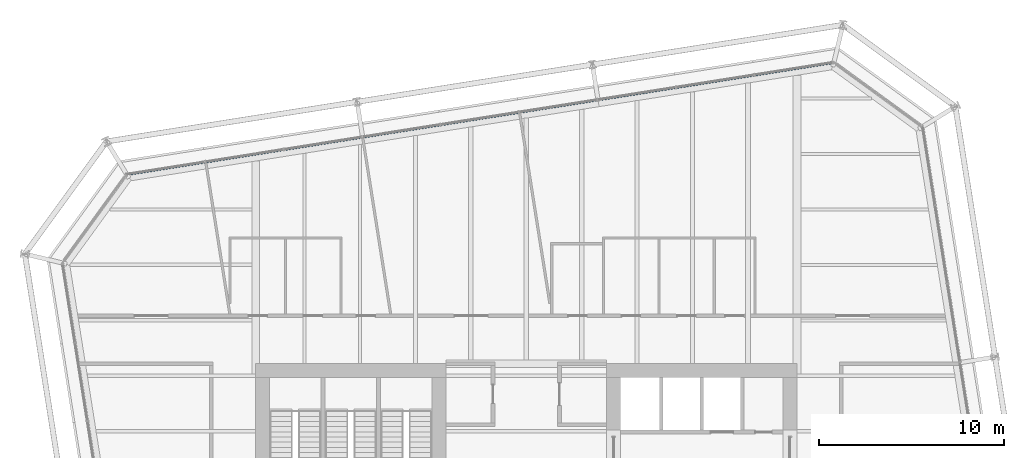
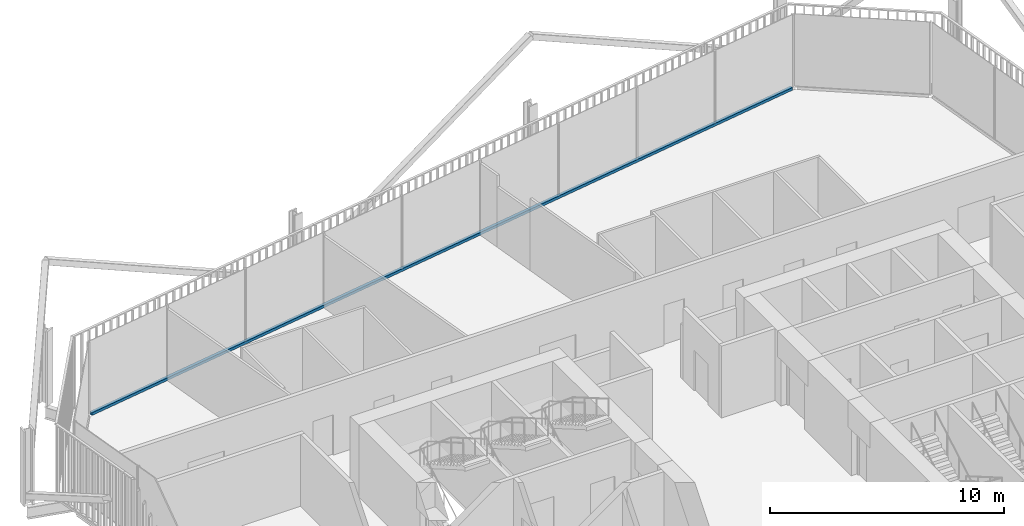
# One storey, part 12 of 22: 1 member, 1 element without a shape of its own.
"""IFC4 building model written with IfcOpenShell, lengths in metres."""

import ifcopenshell
import ifcopenshell.guid

model = None  # the IFC model being written
_history = None  # IfcOwnerHistory: only IFC2X3 demands one
_inside = {}  # id of a spatial element -> (the spatial element, [elements in it])
_under = {}  # id of a project, library or spatial element -> (it, [spatial elements below it])
_declared = {}  # id of a project -> (the project, [libraries it declares])
_typed = {}  # id of a type object -> (the type object, [elements of that type])
_made_of = {}  # id of a material, layer set ... -> (it, [elements and type objects made of it])


def new_model(schema):
    """Start an empty IFC model of exactly this schema.

    Asked for "IFC4X3", IfcOpenShell would pick the latest addendum, in which some entities
    have other attributes; the version numbers below select the first issue.
    IFC2X3 requires an IfcOwnerHistory on every rooted entity: one is made here for all.
    """
    global model, _history
    if schema == "IFC4X3":
        model = ifcopenshell.file(schema_version=(4, 3, 0, 0))
    else:
        model = ifcopenshell.file(schema=schema)
    _inside.clear()
    _under.clear()
    _declared.clear()
    _typed.clear()
    _made_of.clear()
    _history = None
    if model.schema == "IFC2X3":
        org = make("IfcOrganization", Name="unknown")
        user = make(
            "IfcPersonAndOrganization",
            ThePerson=make("IfcPerson", FamilyName="unknown"),
            TheOrganization=org,
        )
        app = make(
            "IfcApplication",
            ApplicationDeveloper=org,
            Version="unknown",
            ApplicationFullName="unknown",
            ApplicationIdentifier="unknown",
        )
        _history = make(
            "IfcOwnerHistory",
            OwningUser=user,
            OwningApplication=app,
            ChangeAction="ADDED",
            CreationDate=0,
        )
    return model


def make(cls, **values):
    """One entity of the class cls with the attributes given. An attribute that is None is left unset."""
    return model.create_entity(
        cls, **{name: value for name, value in values.items() if value is not None}
    )


def rooted(cls, **values):
    """An entity with a GlobalId (a new one), such as an element, a storey or a relation."""
    return make(cls, GlobalId=ifcopenshell.guid.new(), OwnerHistory=_history, **values)


def si_unit(unit_type, name, prefix=None):
    """IfcSIUnit, for example si_unit("LENGTHUNIT", "METRE", prefix="MILLI")."""
    return make("IfcSIUnit", UnitType=unit_type, Prefix=prefix, Name=name)


def assignment(units):
    """IfcUnitAssignment: the units of a project."""
    return None if units is None else make("IfcUnitAssignment", Units=units)


def point(xyz):
    """IfcCartesianPoint."""
    return None if xyz is None else make("IfcCartesianPoint", Coordinates=xyz)


def direction(xyz):
    """IfcDirection."""
    return None if xyz is None else make("IfcDirection", DirectionRatios=xyz)


def frame(location, z_axis=None, x_axis=None):
    """IfcAxis2Placement3D, a coordinate frame: its origin and axes. An axis left out is left unset."""
    return make(
        "IfcAxis2Placement3D",
        Location=point(location),
        Axis=direction(z_axis),
        RefDirection=direction(x_axis),
    )


def frame_2d(location, x_axis=None):
    """IfcAxis2Placement2D, a coordinate frame in the plane: its origin and x axis."""
    return make(
        "IfcAxis2Placement2D", Location=point(location), RefDirection=direction(x_axis)
    )


def origin():
    """The frame at (0, 0, 0) with its axes left unset."""
    return frame((0.0, 0.0, 0.0))


def origin_2d():
    """The frame at (0, 0) in the plane with its x axis left unset."""
    return frame_2d((0.0, 0.0))


def place(relative_to, where):
    """IfcLocalPlacement: puts the frame where relative to a parent placement (None: the world)."""
    return make(
        "IfcLocalPlacement", PlacementRelTo=relative_to, RelativePlacement=where
    )


def context(
    kind, dimensions, precision=None, world=None, true_north=None, identifier=None
):
    """IfcGeometricRepresentationContext, for example the 3D "Model" context."""
    return make(
        "IfcGeometricRepresentationContext",
        ContextIdentifier=identifier,
        ContextType=kind,
        CoordinateSpaceDimension=dimensions,
        Precision=precision,
        WorldCoordinateSystem=world,
        TrueNorth=true_north,
    )


def subcontext(parent, identifier, kind, view, scale=None):
    """IfcGeometricRepresentationSubContext, for example "Body" below "Model"."""
    return make(
        "IfcGeometricRepresentationSubContext",
        ContextIdentifier=identifier,
        ContextType=kind,
        ParentContext=parent,
        TargetScale=scale,
        TargetView=view,
    )


def project(units=None, contexts=None):
    """IfcProject with its units and contexts."""
    return rooted(
        "IfcProject",
        Name="project",
        RepresentationContexts=contexts,
        UnitsInContext=assignment(units),
    )


def spatial(cls, under=None, at=None, **own):
    """A site, building, storey or space (cls), placed at a placement, below another one or the project."""
    s = rooted(cls, ObjectPlacement=at, **own)
    if under is not None:
        _under.setdefault(under.id(), (under, []))[1].append(s)
    return s


def profile(cls, at=None, kind="AREA", **sizes):
    """A parametric profile (cls). Its sizes go by their IFC names, for example OverallWidth=200.0."""
    return make(cls, ProfileType=kind, Position=at, **sizes)


def rectangle(**sizes):
    """IfcRectangleProfileDef."""
    return profile("IfcRectangleProfileDef", **sizes)


def extrude(swept, where, along, depth):
    """IfcExtrudedAreaSolid: the profile swept, set in the frame where, extruded along a direction by depth."""
    return make(
        "IfcExtrudedAreaSolid",
        SweptArea=swept,
        Position=where,
        ExtrudedDirection=direction(along),
        Depth=depth,
    )


def shape(context_of_items, identifier, shape_type, items):
    """IfcShapeRepresentation: the items that make up one representation, for example the "Body"."""
    return make(
        "IfcShapeRepresentation",
        ContextOfItems=context_of_items,
        RepresentationIdentifier=identifier,
        RepresentationType=shape_type,
        Items=items,
    )


def material(Name=None, Category=None):
    """IfcMaterial."""
    return make("IfcMaterial", Name=Name, Category=Category)


def layer(
    of_material, thickness, ventilated=None, Name=None, Category=None, Priority=None
):
    """IfcMaterialLayer: one layer of a wall or slab, of a material (None: an air gap)."""
    return make(
        "IfcMaterialLayer",
        Material=of_material,
        LayerThickness=thickness,
        IsVentilated=ventilated,
        Name=Name,
        Category=Category,
        Priority=Priority,
    )


def layer_set(layers, Name=None):
    """IfcMaterialLayerSet."""
    return make("IfcMaterialLayerSet", MaterialLayers=layers, LayerSetName=Name)


def material_profile(
    of_material, cross_section, Name=None, Category=None, Priority=None
):
    """IfcMaterialProfile: a cross section and its material."""
    return make(
        "IfcMaterialProfile",
        Name=Name,
        Material=of_material,
        Profile=cross_section,
        Priority=Priority,
        Category=Category,
    )


def profile_set(profiles, Name=None, composite=None):
    """IfcMaterialProfileSet."""
    return make(
        "IfcMaterialProfileSet",
        Name=Name,
        MaterialProfiles=profiles,
        CompositeProfile=composite,
    )


def made_of(thing, what):
    """Note that an element or type object is made of a material, layer set ...; save() writes the relation."""
    if what is not None:
        _made_of.setdefault(what.id(), (what, []))[1].append(thing)
    return thing


def type_object(cls, material=None, **own):
    """A type object (cls), such as IfcWallType, which elements share."""
    return made_of(rooted(cls, **own), material)


def element(
    cls,
    number,
    at=None,
    inside=None,
    cuts=None,
    type_object=None,
    material=None,
    context=None,
    identifier="Body",
    shape_type=None,
    held_by="IfcProductDefinitionShape",
    body=None,
    shapes=None,
    **own,
):
    """One element of the class cls, such as IfcWall. Its Tag is "e" and its number.

    at: its placement. inside: the storey or other place that contains it. cuts: it is an
    opening in that element (IfcRelVoidsElement). A single representation is given by context,
    identifier, shape_type and body (its items); several are given by shapes. held_by: the class
    of the entity that holds the representations. save() writes the other relations.
    """
    e = rooted(cls, Tag="e%d" % number, ObjectPlacement=at, **own)
    if body is not None:
        shapes = [shape(context, identifier, shape_type, body)]
    if shapes is not None:
        e.Representation = make(held_by, Representations=shapes)
    if inside is not None:
        _inside.setdefault(inside.id(), (inside, []))[1].append(e)
    if cuts is not None:
        rooted(
            "IfcRelVoidsElement", RelatingBuildingElement=cuts, RelatedOpeningElement=e
        )
    if type_object is not None:
        _typed.setdefault(type_object.id(), (type_object, []))[1].append(e)
    return made_of(e, material)


def aggregate(whole, parts):
    """IfcRelAggregates: a whole, such as a stair, and the parts it consists of."""
    return rooted("IfcRelAggregates", RelatingObject=whole, RelatedObjects=parts)


def save(model, path):
    """Write the relations noted so far, then the file.

    IfcRelAggregates (storeys below a building ...), IfcRelContainedInSpatialStructure (elements
    in a storey), IfcRelDefinesByType, IfcRelAssociatesMaterial and IfcRelDeclares: one each for
    every whole, place, type object, material and project.
    """
    for whole, parts in _under.values():
        aggregate(whole, parts)
    for where, things in _inside.values():
        rooted(
            "IfcRelContainedInSpatialStructure",
            RelatedElements=things,
            RelatingStructure=where,
        )
    for kind, things in _typed.values():
        rooted("IfcRelDefinesByType", RelatedObjects=things, RelatingType=kind)
    for what, things in _made_of.values():
        rooted("IfcRelAssociatesMaterial", RelatedObjects=things, RelatingMaterial=what)
    for by, libraries in _declared.values():
        rooted("IfcRelDeclares", RelatingContext=by, RelatedDefinitions=libraries)
    model.write(path)


model = new_model("IFC4")

# Units and contexts
model_context = context("Model", 3, precision=1e-05, world=origin(), true_north=direction((0.0, 1.0)))
body_context = subcontext(model_context, "Body", "Model", "MODEL_VIEW")
ifc_project = project(units=[si_unit("LENGTHUNIT", "METRE"), si_unit("AREAUNIT", "SQUARE_METRE"), si_unit("VOLUMEUNIT", "CUBIC_METRE"), si_unit("PLANEANGLEUNIT", "RADIAN"), si_unit("MASSUNIT", "GRAM", prefix="KILO")], contexts=[model_context])

# Site, building, storey
site_placement = place(None, origin())
site = spatial("IfcSite", under=ifc_project, at=site_placement, CompositionType="ELEMENT")
building_placement = place(site_placement, origin())
building = spatial("IfcBuilding", under=site, at=building_placement, Name="Millrace Tower", CompositionType="ELEMENT")
storey_placement = place(building_placement, frame((0.0, 0.0, 187.800048828125)))
storey = spatial("IfcBuildingStorey", under=building, at=storey_placement, Name="L42", CompositionType="ELEMENT", Elevation=187.800048828125)

# Curtain wall, member
ifc_material_1 = material(Name="Aluminium and glass", Category="aluminium")
ifc_layer = layer(ifc_material_1, 0.14990234375)
ifc_layer_set = layer_set([ifc_layer], Name="Aluminium and glass")
curtain_wall_type = type_object("IfcCurtainWallType", Name="CW-1 office vision curtain wall", PredefinedType="NOTDEFINED", material=ifc_layer_set)
curtain_wall_placement = place(storey_placement, origin())
curtain_wall = element("IfcCurtainWall", 1, at=curtain_wall_placement, inside=storey, type_object=curtain_wall_type, Name="Curtain wall C-F06 L42", PredefinedType="NOTDEFINED")
ifc_material_2 = material(Name="Aluminium", Category="aluminium")
ifc_material_profile = material_profile(ifc_material_2, rectangle(XDim=0.14990234375, YDim=0.139892578125, at=origin_2d()))
ifc_profile_set = profile_set([ifc_material_profile], Name="Aluminium")
member_type = type_object("IfcMemberType", Name="CW-1 office vision curtain wall transom", PredefinedType="USERDEFINED", material=ifc_profile_set)
member_placement = place(storey_placement, frame((16.525146484375, 25.946044921875, 0.070068359375), z_axis=(-0.987688505691, -0.156433422663, 0.0), x_axis=(0.156433422663, -0.987688505691, 0.0)))
member = element("IfcMember", 2, at=member_placement, type_object=member_type, Name="CW1 transom C-F06.1", ObjectType="TRANSOM", PredefinedType="USERDEFINED", context=body_context, shape_type="SweptSolid", body=[
    extrude(rectangle(XDim=0.14990234375, YDim=0.139892578125, at=origin_2d()), origin(), (0.0, 0.0, 1.0), 38.5),
])
aggregate(curtain_wall, [member])

save(model, "model.ifc")
